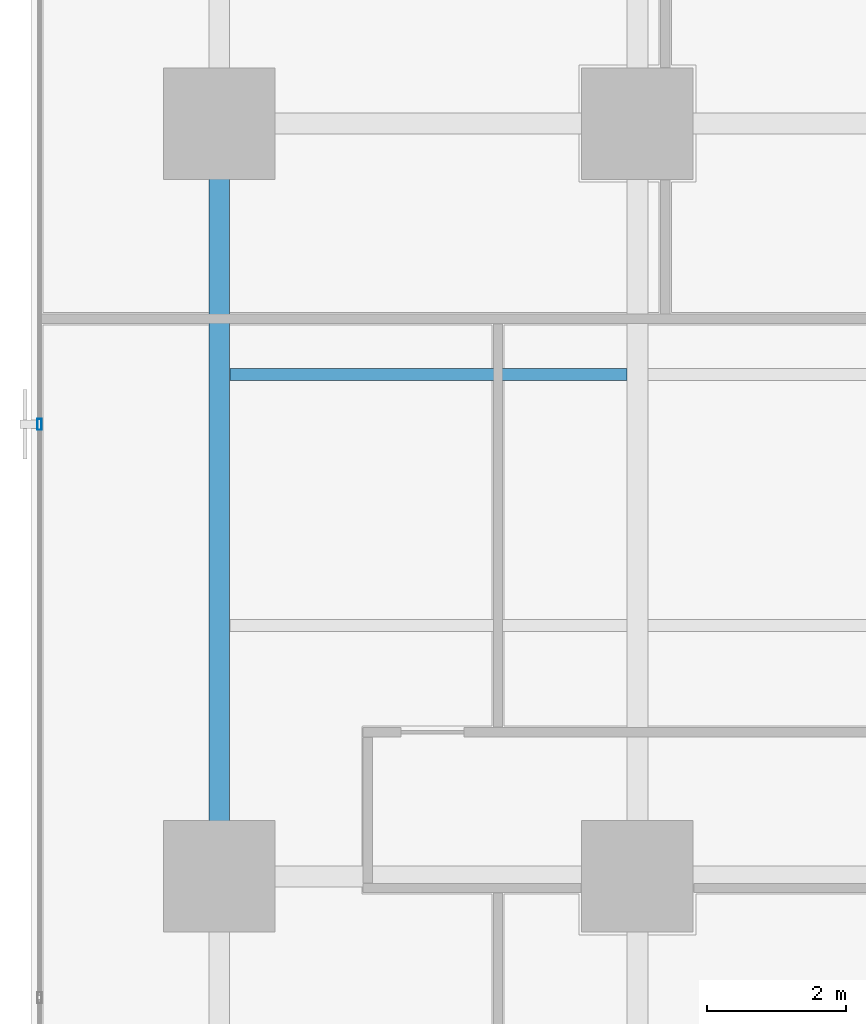
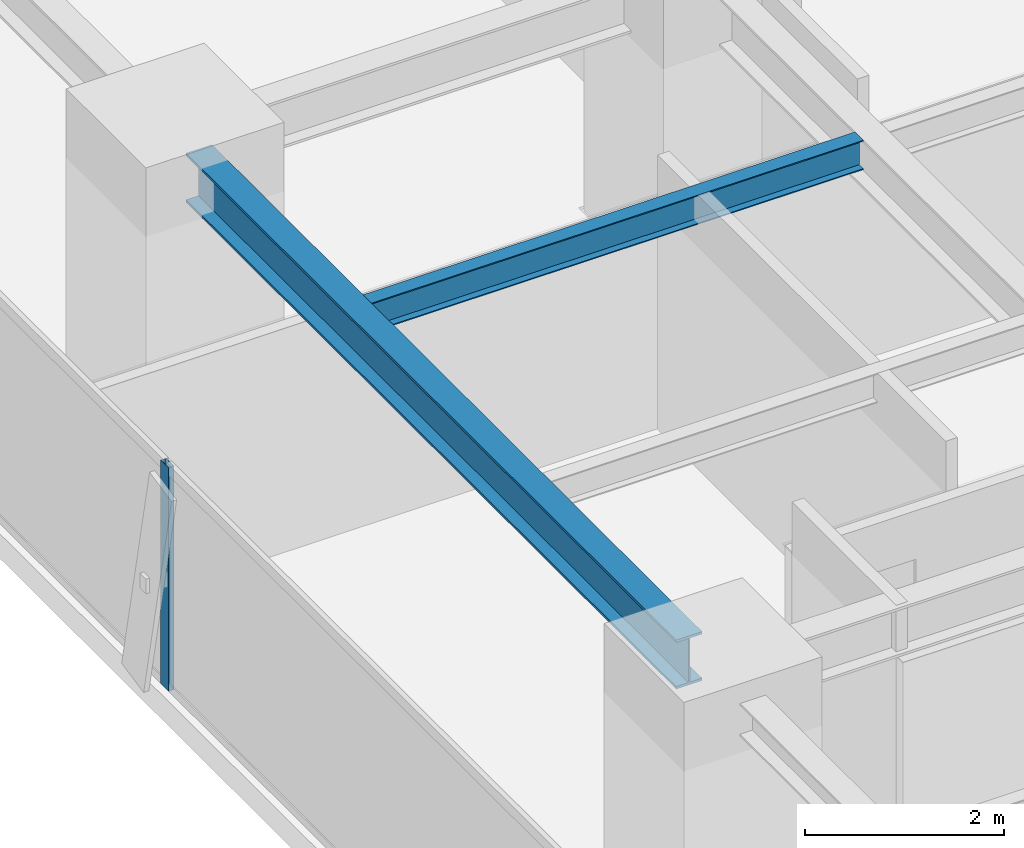
# One storey, part 8 of 36: 2 beams, 1 member, 1 element without a shape of its own.
"""IFC4 building model written with IfcOpenShell, lengths in metres."""

import ifcopenshell
import ifcopenshell.guid

model = None  # the IFC model being written
_history = None  # IfcOwnerHistory: only IFC2X3 demands one
_inside = {}  # id of a spatial element -> (the spatial element, [elements in it])
_under = {}  # id of a project, library or spatial element -> (it, [spatial elements below it])
_declared = {}  # id of a project -> (the project, [libraries it declares])
_typed = {}  # id of a type object -> (the type object, [elements of that type])
_made_of = {}  # id of a material, layer set ... -> (it, [elements and type objects made of it])


def new_model(schema):
    """Start an empty IFC model of exactly this schema.

    Asked for "IFC4X3", IfcOpenShell would pick the latest addendum, in which some entities
    have other attributes; the version numbers below select the first issue.
    IFC2X3 requires an IfcOwnerHistory on every rooted entity: one is made here for all.
    """
    global model, _history
    if schema == "IFC4X3":
        model = ifcopenshell.file(schema_version=(4, 3, 0, 0))
    else:
        model = ifcopenshell.file(schema=schema)
    _inside.clear()
    _under.clear()
    _declared.clear()
    _typed.clear()
    _made_of.clear()
    _history = None
    if model.schema == "IFC2X3":
        org = make("IfcOrganization", Name="unknown")
        user = make(
            "IfcPersonAndOrganization",
            ThePerson=make("IfcPerson", FamilyName="unknown"),
            TheOrganization=org,
        )
        app = make(
            "IfcApplication",
            ApplicationDeveloper=org,
            Version="unknown",
            ApplicationFullName="unknown",
            ApplicationIdentifier="unknown",
        )
        _history = make(
            "IfcOwnerHistory",
            OwningUser=user,
            OwningApplication=app,
            ChangeAction="ADDED",
            CreationDate=0,
        )
    return model


def make(cls, **values):
    """One entity of the class cls with the attributes given. An attribute that is None is left unset."""
    return model.create_entity(
        cls, **{name: value for name, value in values.items() if value is not None}
    )


def rooted(cls, **values):
    """An entity with a GlobalId (a new one), such as an element, a storey or a relation."""
    return make(cls, GlobalId=ifcopenshell.guid.new(), OwnerHistory=_history, **values)


def si_unit(unit_type, name, prefix=None):
    """IfcSIUnit, for example si_unit("LENGTHUNIT", "METRE", prefix="MILLI")."""
    return make("IfcSIUnit", UnitType=unit_type, Prefix=prefix, Name=name)


def assignment(units):
    """IfcUnitAssignment: the units of a project."""
    return None if units is None else make("IfcUnitAssignment", Units=units)


def point(xyz):
    """IfcCartesianPoint."""
    return None if xyz is None else make("IfcCartesianPoint", Coordinates=xyz)


def direction(xyz):
    """IfcDirection."""
    return None if xyz is None else make("IfcDirection", DirectionRatios=xyz)


def frame(location, z_axis=None, x_axis=None):
    """IfcAxis2Placement3D, a coordinate frame: its origin and axes. An axis left out is left unset."""
    return make(
        "IfcAxis2Placement3D",
        Location=point(location),
        Axis=direction(z_axis),
        RefDirection=direction(x_axis),
    )


def frame_2d(location, x_axis=None):
    """IfcAxis2Placement2D, a coordinate frame in the plane: its origin and x axis."""
    return make(
        "IfcAxis2Placement2D", Location=point(location), RefDirection=direction(x_axis)
    )


def origin():
    """The frame at (0, 0, 0) with its axes left unset."""
    return frame((0.0, 0.0, 0.0))


def origin_2d():
    """The frame at (0, 0) in the plane with its x axis left unset."""
    return frame_2d((0.0, 0.0))


def place(relative_to, where):
    """IfcLocalPlacement: puts the frame where relative to a parent placement (None: the world)."""
    return make(
        "IfcLocalPlacement", PlacementRelTo=relative_to, RelativePlacement=where
    )


def context(
    kind, dimensions, precision=None, world=None, true_north=None, identifier=None
):
    """IfcGeometricRepresentationContext, for example the 3D "Model" context."""
    return make(
        "IfcGeometricRepresentationContext",
        ContextIdentifier=identifier,
        ContextType=kind,
        CoordinateSpaceDimension=dimensions,
        Precision=precision,
        WorldCoordinateSystem=world,
        TrueNorth=true_north,
    )


def subcontext(parent, identifier, kind, view, scale=None):
    """IfcGeometricRepresentationSubContext, for example "Body" below "Model"."""
    return make(
        "IfcGeometricRepresentationSubContext",
        ContextIdentifier=identifier,
        ContextType=kind,
        ParentContext=parent,
        TargetScale=scale,
        TargetView=view,
    )


def project(units=None, contexts=None):
    """IfcProject with its units and contexts."""
    return rooted(
        "IfcProject",
        Name="project",
        RepresentationContexts=contexts,
        UnitsInContext=assignment(units),
    )


def spatial(cls, under=None, at=None, **own):
    """A site, building, storey or space (cls), placed at a placement, below another one or the project."""
    s = rooted(cls, ObjectPlacement=at, **own)
    if under is not None:
        _under.setdefault(under.id(), (under, []))[1].append(s)
    return s


def profile(cls, at=None, kind="AREA", **sizes):
    """A parametric profile (cls). Its sizes go by their IFC names, for example OverallWidth=200.0."""
    return make(cls, ProfileType=kind, Position=at, **sizes)


def hollow_rectangle(**sizes):
    """IfcRectangleHollowProfileDef."""
    return profile("IfcRectangleHollowProfileDef", **sizes)


def i_section(**sizes):
    """IfcIShapeProfileDef."""
    return profile("IfcIShapeProfileDef", **sizes)


def extrude(swept, where, along, depth):
    """IfcExtrudedAreaSolid: the profile swept, set in the frame where, extruded along a direction by depth."""
    return make(
        "IfcExtrudedAreaSolid",
        SweptArea=swept,
        Position=where,
        ExtrudedDirection=direction(along),
        Depth=depth,
    )


def shape(context_of_items, identifier, shape_type, items):
    """IfcShapeRepresentation: the items that make up one representation, for example the "Body"."""
    return make(
        "IfcShapeRepresentation",
        ContextOfItems=context_of_items,
        RepresentationIdentifier=identifier,
        RepresentationType=shape_type,
        Items=items,
    )


def source(mapping_origin, context_of_items, identifier, shape_type, items):
    """IfcRepresentationMap: a shape defined once, which mapped items show again and again."""
    return make(
        "IfcRepresentationMap",
        MappingOrigin=mapping_origin,
        MappedRepresentation=shape(context_of_items, identifier, shape_type, items),
    )


def transform(
    local_origin,
    x_axis=None,
    y_axis=None,
    z_axis=None,
    scale=None,
    scale2=None,
    scale3=None,
    uniform=True,
):
    """IfcCartesianTransformationOperator3D, or its non-uniform kind. x_axis, y_axis, z_axis: its Axis1, 2, 3."""
    if uniform:
        return make(
            "IfcCartesianTransformationOperator3D",
            Axis1=direction(x_axis),
            Axis2=direction(y_axis),
            LocalOrigin=point(local_origin),
            Scale=scale,
            Axis3=direction(z_axis),
        )
    return make(
        "IfcCartesianTransformationOperator3DnonUniform",
        Axis1=direction(x_axis),
        Axis2=direction(y_axis),
        LocalOrigin=point(local_origin),
        Scale=scale,
        Axis3=direction(z_axis),
        Scale2=scale2,
        Scale3=scale3,
    )


def mapped(mapping_source, mapping_target):
    """IfcMappedItem: shows the shape of a source again, moved by a transform."""
    return make(
        "IfcMappedItem", MappingSource=mapping_source, MappingTarget=mapping_target
    )


def material(Name=None, Category=None):
    """IfcMaterial."""
    return make("IfcMaterial", Name=Name, Category=Category)


def layer(
    of_material, thickness, ventilated=None, Name=None, Category=None, Priority=None
):
    """IfcMaterialLayer: one layer of a wall or slab, of a material (None: an air gap)."""
    return make(
        "IfcMaterialLayer",
        Material=of_material,
        LayerThickness=thickness,
        IsVentilated=ventilated,
        Name=Name,
        Category=Category,
        Priority=Priority,
    )


def layer_set(layers, Name=None):
    """IfcMaterialLayerSet."""
    return make("IfcMaterialLayerSet", MaterialLayers=layers, LayerSetName=Name)


def material_profile(
    of_material, cross_section, Name=None, Category=None, Priority=None
):
    """IfcMaterialProfile: a cross section and its material."""
    return make(
        "IfcMaterialProfile",
        Name=Name,
        Material=of_material,
        Profile=cross_section,
        Priority=Priority,
        Category=Category,
    )


def profile_set(profiles, Name=None, composite=None):
    """IfcMaterialProfileSet."""
    return make(
        "IfcMaterialProfileSet",
        Name=Name,
        MaterialProfiles=profiles,
        CompositeProfile=composite,
    )


def made_of(thing, what):
    """Note that an element or type object is made of a material, layer set ...; save() writes the relation."""
    if what is not None:
        _made_of.setdefault(what.id(), (what, []))[1].append(thing)
    return thing


def type_object(cls, material=None, **own):
    """A type object (cls), such as IfcWallType, which elements share."""
    return made_of(rooted(cls, **own), material)


def element(
    cls,
    number,
    at=None,
    inside=None,
    cuts=None,
    type_object=None,
    material=None,
    context=None,
    identifier="Body",
    shape_type=None,
    held_by="IfcProductDefinitionShape",
    body=None,
    shapes=None,
    **own,
):
    """One element of the class cls, such as IfcWall. Its Tag is "e" and its number.

    at: its placement. inside: the storey or other place that contains it. cuts: it is an
    opening in that element (IfcRelVoidsElement). A single representation is given by context,
    identifier, shape_type and body (its items); several are given by shapes. held_by: the class
    of the entity that holds the representations. save() writes the other relations.
    """
    e = rooted(cls, Tag="e%d" % number, ObjectPlacement=at, **own)
    if body is not None:
        shapes = [shape(context, identifier, shape_type, body)]
    if shapes is not None:
        e.Representation = make(held_by, Representations=shapes)
    if inside is not None:
        _inside.setdefault(inside.id(), (inside, []))[1].append(e)
    if cuts is not None:
        rooted(
            "IfcRelVoidsElement", RelatingBuildingElement=cuts, RelatedOpeningElement=e
        )
    if type_object is not None:
        _typed.setdefault(type_object.id(), (type_object, []))[1].append(e)
    return made_of(e, material)


def aggregate(whole, parts):
    """IfcRelAggregates: a whole, such as a stair, and the parts it consists of."""
    return rooted("IfcRelAggregates", RelatingObject=whole, RelatedObjects=parts)


def save(model, path):
    """Write the relations noted so far, then the file.

    IfcRelAggregates (storeys below a building ...), IfcRelContainedInSpatialStructure (elements
    in a storey), IfcRelDefinesByType, IfcRelAssociatesMaterial and IfcRelDeclares: one each for
    every whole, place, type object, material and project.
    """
    for whole, parts in _under.values():
        aggregate(whole, parts)
    for where, things in _inside.values():
        rooted(
            "IfcRelContainedInSpatialStructure",
            RelatedElements=things,
            RelatingStructure=where,
        )
    for kind, things in _typed.values():
        rooted("IfcRelDefinesByType", RelatedObjects=things, RelatingType=kind)
    for what, things in _made_of.values():
        rooted("IfcRelAssociatesMaterial", RelatedObjects=things, RelatingMaterial=what)
    for by, libraries in _declared.values():
        rooted("IfcRelDeclares", RelatingContext=by, RelatedDefinitions=libraries)
    model.write(path)


model = new_model("IFC4")

# Units and contexts
model_context = context("Model", 3, precision=1e-05, world=origin(), true_north=direction((0.0, 1.0)))
body_context = subcontext(model_context, "Body", "Model", "MODEL_VIEW")
ifc_project = project(units=[si_unit("LENGTHUNIT", "METRE"), si_unit("AREAUNIT", "SQUARE_METRE"), si_unit("VOLUMEUNIT", "CUBIC_METRE"), si_unit("PLANEANGLEUNIT", "RADIAN"), si_unit("MASSUNIT", "GRAM", prefix="KILO")], contexts=[model_context])

# Site, building, storey
site_placement = place(None, origin())
site = spatial("IfcSite", under=ifc_project, at=site_placement, CompositionType="ELEMENT")
building_placement = place(site_placement, origin())
building = spatial("IfcBuilding", under=site, at=building_placement, Name="Sumidabori Civic Tower", CompositionType="ELEMENT")
storey_placement = place(building_placement, frame((0.0, 0.0, 77.60009765625)))
storey = spatial("IfcBuildingStorey", under=building, at=storey_placement, Name="L19", CompositionType="ELEMENT", Elevation=77.60009765625)

# Beams
ifc_material_1 = material(Name="Steel SN490", Category="steel")
ifc_material_profile_1 = material_profile(ifc_material_1, i_section(OverallWidth=0.300048828125, OverallDepth=0.60009765625, WebThickness=0.015380859375, FlangeThickness=0.030029296875, at=origin_2d()), Name="HE 600 B")
ifc_profile_set_1 = profile_set([ifc_material_profile_1], Name="Steel SN490")
beam_type_1 = type_object("IfcBeamType", Name="BM-GIRD-600", PredefinedType="BEAM", material=ifc_profile_set_1)
shared_shape_1 = source(origin(), body_context, "Body", "SweptSolid", [
    extrude(i_section(OverallWidth=0.300048828125, OverallDepth=0.60009765625, WebThickness=0.015380859375, FlangeThickness=0.030029296875, at=origin_2d()), origin(), (0.0, 0.0, 1.0), 9.840087890625),
])
beam_1_placement = place(storey_placement, frame((-22.800048828125, -10.320068359375, 3.059814453125), z_axis=(0.0, 1.0, 0.0), x_axis=(-1.0, 0.0, 0.0)))
element("IfcBeam", 1, at=beam_1_placement, inside=storey, type_object=beam_type_1, Name="Primary Girder L19 GY-22", PredefinedType="BEAM", context=body_context, shape_type="MappedRepresentation", body=[
    mapped(shared_shape_1, transform((0.0, 0.0, 0.0), x_axis=(1.0, 0.0, 0.0), y_axis=(0.0, 1.0, 0.0), z_axis=(0.0, 0.0, 1.0), scale=1.0)),
])
ifc_material_profile_2 = material_profile(ifc_material_1, i_section(OverallWidth=0.169921875, OverallDepth=0.360107421875, WebThickness=0.008056640625, FlangeThickness=0.0126953125, at=origin_2d()), Name="IPE 360")
ifc_profile_set_2 = profile_set([ifc_material_profile_2], Name="Steel SN490")
beam_type_2 = type_object("IfcBeamType", Name="BM-JST-360", PredefinedType="JOIST", material=ifc_profile_set_2)
shared_shape_2 = source(origin(), body_context, "Body", "SweptSolid", [
    extrude(i_section(OverallWidth=0.169921875, OverallDepth=0.360107421875, WebThickness=0.008056640625, FlangeThickness=0.0126953125, at=origin_2d()), origin(), (0.0, 0.0, 1.0), 5.699951171875),
])
beam_2_placement = place(storey_placement, frame((-22.64990234375, -3.60009765625, 3.179931640625), z_axis=(1.0, 0.0, 0.0), x_axis=(0.0, 1.0, 0.0)))
element("IfcBeam", 2, at=beam_2_placement, inside=storey, type_object=beam_type_2, Name="Outer Bay Floor Joist L19 JSTO-45", PredefinedType="JOIST", context=body_context, shape_type="MappedRepresentation", body=[
    mapped(shared_shape_2, transform((0.0, 0.0, 0.0), x_axis=(1.0, 0.0, 0.0), y_axis=(0.0, 1.0, 0.0), z_axis=(0.0, 0.0, 1.0), scale=1.0)),
])

# Curtain wall, member
ifc_material_2 = material(Name="Anodised Bronze Aluminium AW-6063-T6", Category="aluminium")
ifc_layer = layer(ifc_material_2, 0.179931640625, Name="Anodised Bronze Aluminium AW-6063-T6")
ifc_layer_set = layer_set([ifc_layer], Name="Anodised Bronze Aluminium AW-6063-T6")
curtain_wall_type = type_object("IfcCurtainWallType", Name="CW-SYS-3", PredefinedType="NOTDEFINED", material=ifc_layer_set)
curtain_wall_placement = place(storey_placement, origin())
curtain_wall = element("IfcCurtainWall", 3, at=curtain_wall_placement, inside=storey, type_object=curtain_wall_type, Name="Curtain Wall CW:L19:R10", PredefinedType="NOTDEFINED")
ifc_material_profile_3 = material_profile(ifc_material_2, hollow_rectangle(XDim=0.06494140625, YDim=0.159912109375, WallThickness=0.0048828125, at=origin_2d()), Name="ALU MULLION 160x65")
ifc_profile_set_3 = profile_set([ifc_material_profile_3], Name="Anodised Bronze Aluminium AW-6063-T6")
member_type = type_object("IfcMemberType", Name="CW-MUL-160", PredefinedType="MULLION", material=ifc_profile_set_3)
shared_shape_3 = source(origin(), body_context, "Body", "SweptSolid", [
    extrude(hollow_rectangle(XDim=0.06494140625, YDim=0.159912109375, WallThickness=0.0048828125, at=origin_2d()), origin(), (0.0, 0.0, 1.0), 2.739990234375),
])
member_placement = place(storey_placement, frame((-25.3798828125, -4.31396484375, 0.0), z_axis=(0.0, 0.0, 1.0), x_axis=(1.0, 0.0, 0.0)))
member = element("IfcMember", 4, at=member_placement, type_object=member_type, Name="CW-3 mullion 4", PredefinedType="MULLION", context=body_context, shape_type="MappedRepresentation", body=[
    mapped(shared_shape_3, transform((0.0, 0.0, 0.0), x_axis=(1.0, 0.0, 0.0), y_axis=(0.0, 1.0, 0.0), z_axis=(0.0, 0.0, 1.0), scale=1.0)),
])
aggregate(curtain_wall, [member])

save(model, "model.ifc")
